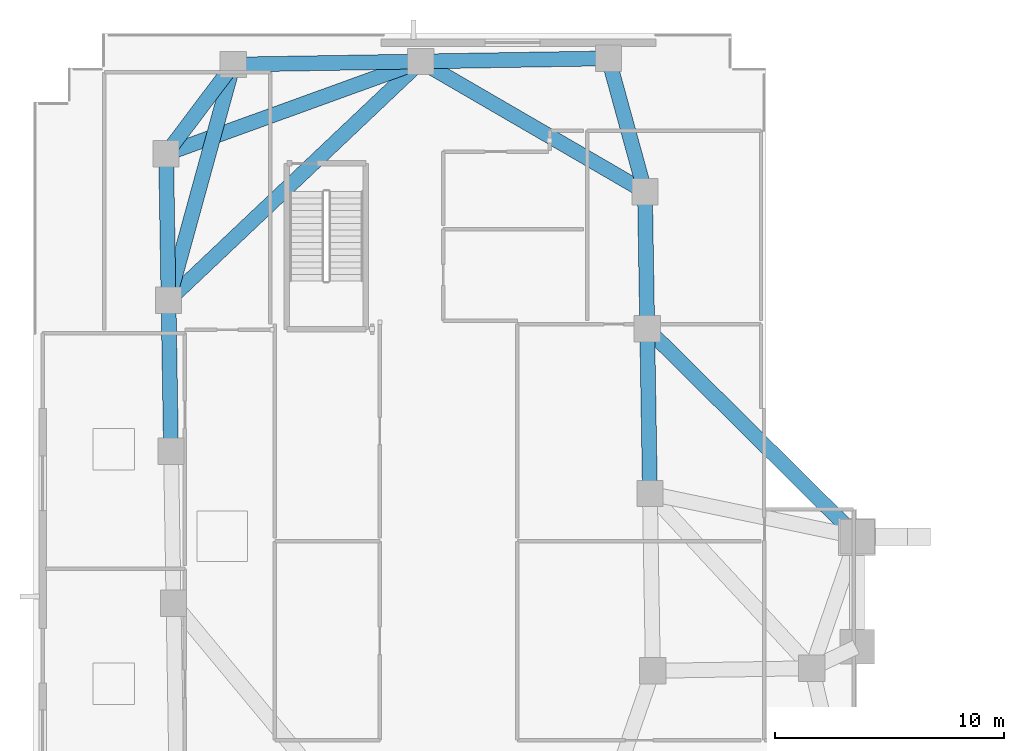
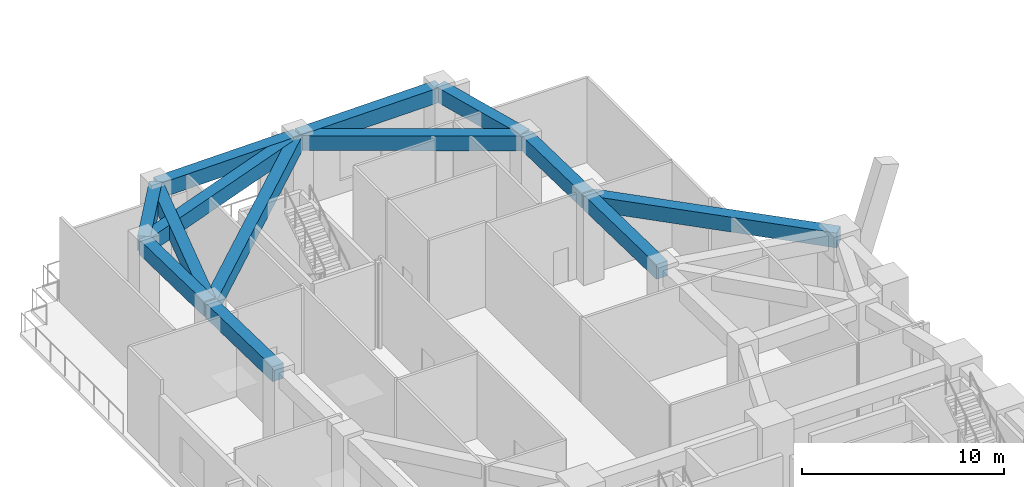
# One storey, part 3 of 18: 13 beams.
"""IFC4 building model written with IfcOpenShell, lengths in metres."""

from ifc_helpers import new_model, si_unit, direction, frame, origin, origin_2d, place, context, subcontext, project, spatial, rectangle, extrude, material, material_profile, profile_set, type_object, element, save


model = new_model("IFC4")

# Units and contexts
model_context = context("Model", 3, precision=1e-05, world=origin(), true_north=direction((0.0, 1.0)))
body_context = subcontext(model_context, "Body", "Model", "MODEL_VIEW")
ifc_project = project(units=[si_unit("LENGTHUNIT", "METRE"), si_unit("AREAUNIT", "SQUARE_METRE"), si_unit("VOLUMEUNIT", "CUBIC_METRE"), si_unit("PLANEANGLEUNIT", "RADIAN"), si_unit("MASSUNIT", "GRAM", prefix="KILO")], contexts=[model_context])

# Site, building, storey
site_placement = place(None, origin())
site = spatial("IfcSite", under=ifc_project, at=site_placement, CompositionType="ELEMENT")
building_placement = place(site_placement, origin())
building = spatial("IfcBuilding", under=site, at=building_placement, Name="Gaonmaruhae Medical Tower", CompositionType="ELEMENT")
storey_placement = place(building_placement, frame((0.0, 0.0, 5.39990234375)))
storey = spatial("IfcBuildingStorey", under=building, at=storey_placement, Name="L01", CompositionType="ELEMENT", Elevation=5.39990234375)

# Beams
ifc_material = material(Name="Concrete C50/60", Category="concrete")
ifc_material_profile = material_profile(ifc_material, rectangle(XDim=0.64990234375, YDim=0.89990234375, at=origin_2d()), Name="RCG-650x900")
ifc_profile_set = profile_set([ifc_material_profile], Name="Concrete C50/60")
beam_type = type_object("IfcBeamType", Name="RG-01 Podium Primary RC Girder (RCG-650x900)", PredefinedType="BEAM", material=ifc_profile_set)
beam_1_placement = place(storey_placement, frame((26.944091796875, 31.140380859375, 4.7001953125), z_axis=(-0.016608204893, 0.999862074253, 0.0), x_axis=(-0.999862074253, -0.016608204893, 0.0)))
element("IfcBeam", 1, at=beam_1_placement, inside=storey, type_object=beam_type, Name="L01 Beam BM-L01-PG035", PredefinedType="BEAM", context=body_context, shape_type="SweptSolid", body=[
    extrude(rectangle(XDim=0.64990234375, YDim=0.89990234375, at=origin_2d()), origin(), (0.0, 0.0, 1.0), 7.10009765625),
])
beam_2_placement = place(storey_placement, frame((26.824462890625, 38.339599609375, 4.7001953125), z_axis=(-0.016551967997, 0.999863006794, 0.0), x_axis=(-0.999863006794, -0.016551967997, 0.0)))
element("IfcBeam", 2, at=beam_2_placement, inside=storey, type_object=beam_type, Name="L01 Beam BM-L01-PG037", PredefinedType="BEAM", context=body_context, shape_type="SweptSolid", body=[
    extrude(rectangle(XDim=0.64990234375, YDim=0.89990234375, at=origin_2d()), origin(), (0.0, 0.0, 1.0), 5.89990234375),
])
beam_3_placement = place(storey_placement, frame((26.86083984375, 38.25439453125, 4.7001953125), z_axis=(0.710394933366, -0.703803267005, 0.0), x_axis=(0.703803267005, 0.710394933366, 0.0)))
element("IfcBeam", 3, at=beam_3_placement, inside=storey, type_object=beam_type, Name="L01 Beam BM-L01-PG038", PredefinedType="BEAM", context=body_context, shape_type="SweptSolid", body=[
    extrude(rectangle(XDim=0.64990234375, YDim=0.89990234375, at=origin_2d()), origin(), (0.0, 0.0, 1.0), 12.815185546875),
])
beam_4_placement = place(storey_placement, frame((26.712646484375, 44.3369140625, 4.7001953125), z_axis=(-0.264400662099, 0.964412924987, 0.0), x_axis=(-0.964412924987, -0.264400662099, 0.0)))
element("IfcBeam", 4, at=beam_4_placement, inside=storey, type_object=beam_type, Name="L01 Beam BM-L01-PG039", PredefinedType="BEAM", context=body_context, shape_type="SweptSolid", body=[
    extrude(rectangle(XDim=0.64990234375, YDim=0.89990234375, at=origin_2d()), origin(), (0.0, 0.0, 1.0), 5.939208984375),
])
beam_5_placement = place(storey_placement, frame((26.6826171875, 44.313720703125, 4.7001953125), z_axis=(-0.864761531189, 0.502182729865, 0.0), x_axis=(-0.502182729865, -0.864761531189, 0.0)))
element("IfcBeam", 5, at=beam_5_placement, inside=storey, type_object=beam_type, Name="L01 Beam BM-L01-PG040", PredefinedType="BEAM", context=body_context, shape_type="SweptSolid", body=[
    extrude(rectangle(XDim=0.64990234375, YDim=0.89990234375, at=origin_2d()), origin(), (0.0, 0.0, 1.0), 11.227294921875),
])
for number, where, z_axis, x_axis, name in (
    (6, (25.0791015625, 50.112060546875, 4.7001953125), (-0.999863083435, -0.016547337678, 0.0), (0.016547337678, -0.999863083435, 0.0), "L01 Beam BM-L01-PG041"),
    (7, (16.88037109375, 49.976318359375, 4.7001953125), (-0.999862584298, -0.016577470273, 0.0), (0.016577470273, -0.999862584298, 0.0), "L01 Beam BM-L01-PG042"),
):
    element("IfcBeam", number, at=place(storey_placement, frame(where, z_axis=z_axis, x_axis=x_axis)), inside=storey, type_object=beam_type, Name=name, PredefinedType="BEAM", context=body_context, shape_type="SweptSolid", body=[
        extrude(rectangle(XDim=0.64990234375, YDim=0.89990234375, at=origin_2d()), origin(), (0.0, 0.0, 1.0), 8.10009765625),
    ])
beam_6_placement = place(storey_placement, frame((16.88330078125, 49.9599609375, 4.7001953125), z_axis=(-0.940171612952, -0.340701244788, 0.0), x_axis=(0.340701244788, -0.940171612952, 0.0)))
element("IfcBeam", 8, at=beam_6_placement, inside=storey, type_object=beam_type, Name="L01 Beam BM-L01-PG043", PredefinedType="BEAM", context=body_context, shape_type="SweptSolid", body=[
    extrude(rectangle(XDim=0.64990234375, YDim=0.89990234375, at=origin_2d()), origin(), (0.0, 0.0, 1.0), 11.743408203125),
])
beam_7_placement = place(storey_placement, frame((8.701416015625, 49.80126953125, 4.7001953125), z_axis=(-0.601502313354, -0.798871057824, 0.0), x_axis=(0.798871057824, -0.601502313354, 0.0)))
element("IfcBeam", 9, at=beam_7_placement, inside=storey, type_object=beam_type, Name="L01 Beam BM-L01-PG044", PredefinedType="BEAM", context=body_context, shape_type="SweptSolid", body=[
    extrude(rectangle(XDim=0.64990234375, YDim=0.89990234375, at=origin_2d()), origin(), (0.0, 0.0, 1.0), 4.781005859375),
])
beam_8_placement = place(storey_placement, frame((8.71826171875, 49.79296875, 4.7001953125), z_axis=(-0.264954280581, -0.964260975671, 0.0), x_axis=(0.964260975671, -0.264954280581, 0.0)))
element("IfcBeam", 10, at=beam_8_placement, inside=storey, type_object=beam_type, Name="L01 Beam BM-L01-PG045", PredefinedType="BEAM", context=body_context, shape_type="SweptSolid", body=[
    extrude(rectangle(XDim=0.64990234375, YDim=0.89990234375, at=origin_2d()), origin(), (0.0, 0.0, 1.0), 10.580078125),
])
beam_9_placement = place(storey_placement, frame((5.79638671875, 45.891845703125, 4.7001953125), z_axis=(0.016586222393, -0.999862439152, 0.0), x_axis=(0.999862439152, 0.016586222393, 0.0)))
element("IfcBeam", 11, at=beam_9_placement, inside=storey, type_object=beam_type, Name="L01 Beam BM-L01-PG046", PredefinedType="BEAM", context=body_context, shape_type="SweptSolid", body=[
    extrude(rectangle(XDim=0.64990234375, YDim=0.89990234375, at=origin_2d()), origin(), (0.0, 0.0, 1.0), 6.300048828125),
])
beam_10_placement = place(storey_placement, frame((5.902587890625, 39.492919921875, 4.7001953125), z_axis=(0.016563596449, -0.999862814226, 0.0), x_axis=(0.999862814226, 0.016563596449, 0.0)))
element("IfcBeam", 12, at=beam_10_placement, inside=storey, type_object=beam_type, Name="L01 Beam BM-L01-PG047", PredefinedType="BEAM", context=body_context, shape_type="SweptSolid", body=[
    extrude(rectangle(XDim=0.64990234375, YDim=0.89990234375, at=origin_2d()), origin(), (0.0, 0.0, 1.0), 6.500244140625),
])
beam_11_placement = place(storey_placement, frame((5.938232421875, 39.5771484375, 4.7001953125), z_axis=(0.726406385449, 0.687265424111, 0.0), x_axis=(-0.687265424111, 0.726406385449, 0.0)))
element("IfcBeam", 13, at=beam_11_placement, inside=storey, type_object=beam_type, Name="L01 Beam BM-L01-PG048", PredefinedType="BEAM", context=body_context, shape_type="SweptSolid", body=[
    extrude(rectangle(XDim=0.64990234375, YDim=0.89990234375, at=origin_2d()), origin(), (0.0, 0.0, 1.0), 15.082275390625),
])

save(model, "model.ifc")
